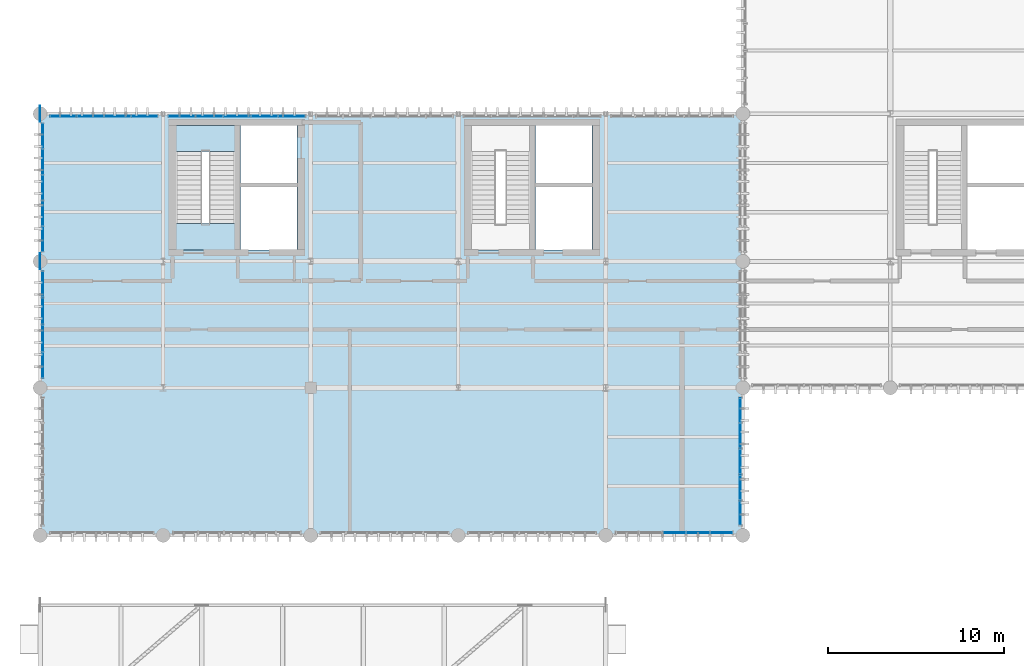
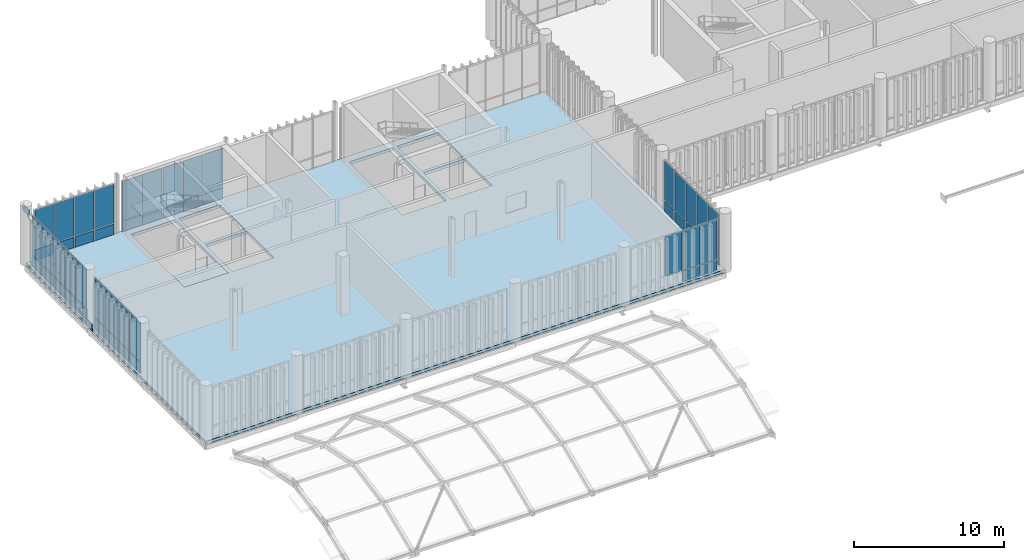
# One storey, part 67 of 94: 53 plates, 3 slabs, 7 elements without a shape of their own.
"""IFC4 building model written with IfcOpenShell, lengths in metres."""

import ifcopenshell
import ifcopenshell.guid

model = None  # the IFC model being written
_history = None  # IfcOwnerHistory: only IFC2X3 demands one
_inside = {}  # id of a spatial element -> (the spatial element, [elements in it])
_under = {}  # id of a project, library or spatial element -> (it, [spatial elements below it])
_declared = {}  # id of a project -> (the project, [libraries it declares])
_typed = {}  # id of a type object -> (the type object, [elements of that type])
_made_of = {}  # id of a material, layer set ... -> (it, [elements and type objects made of it])


def new_model(schema):
    """Start an empty IFC model of exactly this schema.

    Asked for "IFC4X3", IfcOpenShell would pick the latest addendum, in which some entities
    have other attributes; the version numbers below select the first issue.
    IFC2X3 requires an IfcOwnerHistory on every rooted entity: one is made here for all.
    """
    global model, _history
    if schema == "IFC4X3":
        model = ifcopenshell.file(schema_version=(4, 3, 0, 0))
    else:
        model = ifcopenshell.file(schema=schema)
    _inside.clear()
    _under.clear()
    _declared.clear()
    _typed.clear()
    _made_of.clear()
    _history = None
    if model.schema == "IFC2X3":
        org = make("IfcOrganization", Name="unknown")
        user = make(
            "IfcPersonAndOrganization",
            ThePerson=make("IfcPerson", FamilyName="unknown"),
            TheOrganization=org,
        )
        app = make(
            "IfcApplication",
            ApplicationDeveloper=org,
            Version="unknown",
            ApplicationFullName="unknown",
            ApplicationIdentifier="unknown",
        )
        _history = make(
            "IfcOwnerHistory",
            OwningUser=user,
            OwningApplication=app,
            ChangeAction="ADDED",
            CreationDate=0,
        )
    return model


def make(cls, **values):
    """One entity of the class cls with the attributes given. An attribute that is None is left unset."""
    return model.create_entity(
        cls, **{name: value for name, value in values.items() if value is not None}
    )


def rooted(cls, **values):
    """An entity with a GlobalId (a new one), such as an element, a storey or a relation."""
    return make(cls, GlobalId=ifcopenshell.guid.new(), OwnerHistory=_history, **values)


def si_unit(unit_type, name, prefix=None):
    """IfcSIUnit, for example si_unit("LENGTHUNIT", "METRE", prefix="MILLI")."""
    return make("IfcSIUnit", UnitType=unit_type, Prefix=prefix, Name=name)


def assignment(units):
    """IfcUnitAssignment: the units of a project."""
    return None if units is None else make("IfcUnitAssignment", Units=units)


def point(xyz):
    """IfcCartesianPoint."""
    return None if xyz is None else make("IfcCartesianPoint", Coordinates=xyz)


def direction(xyz):
    """IfcDirection."""
    return None if xyz is None else make("IfcDirection", DirectionRatios=xyz)


def frame(location, z_axis=None, x_axis=None):
    """IfcAxis2Placement3D, a coordinate frame: its origin and axes. An axis left out is left unset."""
    return make(
        "IfcAxis2Placement3D",
        Location=point(location),
        Axis=direction(z_axis),
        RefDirection=direction(x_axis),
    )


def frame_2d(location, x_axis=None):
    """IfcAxis2Placement2D, a coordinate frame in the plane: its origin and x axis."""
    return make(
        "IfcAxis2Placement2D", Location=point(location), RefDirection=direction(x_axis)
    )


def origin_with_axes():
    """The frame at (0, 0, 0) with the z axis (0, 0, 1) and the x axis (1, 0, 0) written out."""
    return frame((0.0, 0.0, 0.0), z_axis=(0.0, 0.0, 1.0), x_axis=(1.0, 0.0, 0.0))


def origin_2d_with_axis():
    """The frame at (0, 0) in the plane with the x axis (1, 0) written out."""
    return frame_2d((0.0, 0.0), x_axis=(1.0, 0.0))


def place(relative_to, where):
    """IfcLocalPlacement: puts the frame where relative to a parent placement (None: the world)."""
    return make(
        "IfcLocalPlacement", PlacementRelTo=relative_to, RelativePlacement=where
    )


def context(
    kind, dimensions, precision=None, world=None, true_north=None, identifier=None
):
    """IfcGeometricRepresentationContext, for example the 3D "Model" context."""
    return make(
        "IfcGeometricRepresentationContext",
        ContextIdentifier=identifier,
        ContextType=kind,
        CoordinateSpaceDimension=dimensions,
        Precision=precision,
        WorldCoordinateSystem=world,
        TrueNorth=true_north,
    )


def subcontext(parent, identifier, kind, view, scale=None):
    """IfcGeometricRepresentationSubContext, for example "Body" below "Model"."""
    return make(
        "IfcGeometricRepresentationSubContext",
        ContextIdentifier=identifier,
        ContextType=kind,
        ParentContext=parent,
        TargetScale=scale,
        TargetView=view,
    )


def project(units=None, contexts=None):
    """IfcProject with its units and contexts."""
    return rooted(
        "IfcProject",
        Name="project",
        RepresentationContexts=contexts,
        UnitsInContext=assignment(units),
    )


def spatial(cls, under=None, at=None, **own):
    """A site, building, storey or space (cls), placed at a placement, below another one or the project."""
    s = rooted(cls, ObjectPlacement=at, **own)
    if under is not None:
        _under.setdefault(under.id(), (under, []))[1].append(s)
    return s


def polyline(points):
    """IfcPolyline through the points."""
    return make("IfcPolyline", Points=[point(p) for p in points])


def profile(cls, at=None, kind="AREA", **sizes):
    """A parametric profile (cls). Its sizes go by their IFC names, for example OverallWidth=200.0."""
    return make(cls, ProfileType=kind, Position=at, **sizes)


def rectangle(**sizes):
    """IfcRectangleProfileDef."""
    return profile("IfcRectangleProfileDef", **sizes)


def outline(outer, holes=None, kind="AREA"):
    """IfcArbitraryClosedProfileDef: a profile drawn as a closed curve; with holes, ...WithVoids."""
    if holes is None:
        return make("IfcArbitraryClosedProfileDef", ProfileType=kind, OuterCurve=outer)
    return make(
        "IfcArbitraryProfileDefWithVoids",
        ProfileType=kind,
        OuterCurve=outer,
        InnerCurves=holes,
    )


def extrude(swept, where, along, depth):
    """IfcExtrudedAreaSolid: the profile swept, set in the frame where, extruded along a direction by depth."""
    return make(
        "IfcExtrudedAreaSolid",
        SweptArea=swept,
        Position=where,
        ExtrudedDirection=direction(along),
        Depth=depth,
    )


def shape(context_of_items, identifier, shape_type, items):
    """IfcShapeRepresentation: the items that make up one representation, for example the "Body"."""
    return make(
        "IfcShapeRepresentation",
        ContextOfItems=context_of_items,
        RepresentationIdentifier=identifier,
        RepresentationType=shape_type,
        Items=items,
    )


def material(Name=None, Category=None):
    """IfcMaterial."""
    return make("IfcMaterial", Name=Name, Category=Category)


def layer(
    of_material, thickness, ventilated=None, Name=None, Category=None, Priority=None
):
    """IfcMaterialLayer: one layer of a wall or slab, of a material (None: an air gap)."""
    return make(
        "IfcMaterialLayer",
        Material=of_material,
        LayerThickness=thickness,
        IsVentilated=ventilated,
        Name=Name,
        Category=Category,
        Priority=Priority,
    )


def layer_set(layers, Name=None):
    """IfcMaterialLayerSet."""
    return make("IfcMaterialLayerSet", MaterialLayers=layers, LayerSetName=Name)


def made_of(thing, what):
    """Note that an element or type object is made of a material, layer set ...; save() writes the relation."""
    if what is not None:
        _made_of.setdefault(what.id(), (what, []))[1].append(thing)
    return thing


def type_object(cls, material=None, **own):
    """A type object (cls), such as IfcWallType, which elements share."""
    return made_of(rooted(cls, **own), material)


def element(
    cls,
    number,
    at=None,
    inside=None,
    cuts=None,
    type_object=None,
    material=None,
    context=None,
    identifier="Body",
    shape_type=None,
    held_by="IfcProductDefinitionShape",
    body=None,
    shapes=None,
    **own,
):
    """One element of the class cls, such as IfcWall. Its Tag is "e" and its number.

    at: its placement. inside: the storey or other place that contains it. cuts: it is an
    opening in that element (IfcRelVoidsElement). A single representation is given by context,
    identifier, shape_type and body (its items); several are given by shapes. held_by: the class
    of the entity that holds the representations. save() writes the other relations.
    """
    e = rooted(cls, Tag="e%d" % number, ObjectPlacement=at, **own)
    if body is not None:
        shapes = [shape(context, identifier, shape_type, body)]
    if shapes is not None:
        e.Representation = make(held_by, Representations=shapes)
    if inside is not None:
        _inside.setdefault(inside.id(), (inside, []))[1].append(e)
    if cuts is not None:
        rooted(
            "IfcRelVoidsElement", RelatingBuildingElement=cuts, RelatedOpeningElement=e
        )
    if type_object is not None:
        _typed.setdefault(type_object.id(), (type_object, []))[1].append(e)
    return made_of(e, material)


def aggregate(whole, parts):
    """IfcRelAggregates: a whole, such as a stair, and the parts it consists of."""
    return rooted("IfcRelAggregates", RelatingObject=whole, RelatedObjects=parts)


def save(model, path):
    """Write the relations noted so far, then the file.

    IfcRelAggregates (storeys below a building ...), IfcRelContainedInSpatialStructure (elements
    in a storey), IfcRelDefinesByType, IfcRelAssociatesMaterial and IfcRelDeclares: one each for
    every whole, place, type object, material and project.
    """
    for whole, parts in _under.values():
        aggregate(whole, parts)
    for where, things in _inside.values():
        rooted(
            "IfcRelContainedInSpatialStructure",
            RelatedElements=things,
            RelatingStructure=where,
        )
    for kind, things in _typed.values():
        rooted("IfcRelDefinesByType", RelatedObjects=things, RelatingType=kind)
    for what, things in _made_of.values():
        rooted("IfcRelAssociatesMaterial", RelatedObjects=things, RelatingMaterial=what)
    for by, libraries in _declared.values():
        rooted("IfcRelDeclares", RelatingContext=by, RelatedDefinitions=libraries)
    model.write(path)


model = new_model("IFC4")

# Units and contexts
model_context = context("Model", 3, precision=1e-05, world=origin_with_axes(), true_north=direction((0.0, 1.0)))
body_context = subcontext(model_context, "Body", "Model", "MODEL_VIEW")
ifc_project = project(units=[si_unit("LENGTHUNIT", "METRE"), si_unit("AREAUNIT", "SQUARE_METRE"), si_unit("VOLUMEUNIT", "CUBIC_METRE"), si_unit("PLANEANGLEUNIT", "RADIAN"), si_unit("MASSUNIT", "GRAM", prefix="KILO"), si_unit("THERMODYNAMICTEMPERATUREUNIT", "KELVIN")], contexts=[model_context])

# Site, building, storey
site_placement = place(None, origin_with_axes())
site = spatial("IfcSite", under=ifc_project, at=site_placement, CompositionType="ELEMENT")
building_placement = place(site_placement, origin_with_axes())
building = spatial("IfcBuilding", under=site, at=building_placement, Name="Montbau Bow Law Courts", CompositionType="ELEMENT")
storey_placement = place(building_placement, frame((0.0, 0.0, 15.6), z_axis=(0.0, 0.0, 1.0), x_axis=(1.0, 0.0, 0.0)))
storey = spatial("IfcBuildingStorey", under=building, at=storey_placement, Name="L03", CompositionType="ELEMENT", Elevation=15.6)

# Curtain wall, plates
ifc_material_1 = material(Name="Thermally Broken Extruded Aluminium AA 6063-T6", Category="aluminium")
curtain_wall_type = type_object("IfcCurtainWallType", Name="CW-TRC-01", PredefinedType="NOTDEFINED", material=ifc_material_1)
curtain_wall_1_placement = place(None, frame((39.515, 30.74, 15.6), z_axis=(0.0, 0.0, 1.0), x_axis=(1.0, 0.0, 0.0)))
curtain_wall_1 = element("IfcCurtainWall", 1, at=curtain_wall_1_placement, inside=storey, type_object=curtain_wall_type, Name="CW-L03-054:cw_0054", PredefinedType="NOTDEFINED")
ifc_material_2 = material(Name="Triple-Glazed Low-E Argon Insulating Glass Unit", Category="glass")
ifc_layer_1 = layer(ifc_material_2, 0.044, Name="Curtain Panel", Category="glass")
ifc_layer_set_1 = layer_set([ifc_layer_1], Name="Triple-Glazed Low-E Argon Insulating Glass Unit")
plate_type_1 = type_object("IfcPlateType", Name="PL-CWP-01", PredefinedType="CURTAIN_PANEL", material=ifc_layer_set_1)
plate_1_placement = place(None, frame((42.263, 30.74, 16.582), z_axis=(0.0, -1.0, 0.0), x_axis=(1.0, 0.0, 0.0)))
plate_1 = element("IfcPlate", 2, at=plate_1_placement, type_object=plate_type_1, Name="CW-L03-054-P03-2:cw_0054_P03_2", PredefinedType="CURTAIN_PANEL", context=body_context, shape_type="SweptSolid", body=[
    extrude(rectangle(XDim=1.275, YDim=3.176, at=frame_2d((0.6375, 1.588), x_axis=(1.0, 0.0))), frame((0.0, 0.0, -0.022), z_axis=(0.0, 0.0, 1.0), x_axis=(1.0, 0.0, 0.0)), (0.0, 0.0, 1.0), 0.044),
])
plate_2_placement = place(None, frame((43.616, 30.74, 16.582), z_axis=(0.0, -1.0, 0.0), x_axis=(1.0, 0.0, 0.0)))
plate_2 = element("IfcPlate", 3, at=plate_2_placement, type_object=plate_type_1, Name="CW-L03-054-P04-2:cw_0054_P04_2", PredefinedType="CURTAIN_PANEL", context=body_context, shape_type="SweptSolid", body=[
    extrude(rectangle(XDim=1.276, YDim=3.176, at=frame_2d((0.638, 1.588), x_axis=(1.0, 0.0))), frame((0.0, 0.0, -0.022), z_axis=(0.0, 0.0, 1.0), x_axis=(1.0, 0.0, 0.0)), (0.0, 0.0, 1.0), 0.044),
])
plate_3_placement = place(None, frame((44.97, 30.74, 16.582), z_axis=(0.0, -1.0, 0.0), x_axis=(1.0, 0.0, 0.0)))
plate_3 = element("IfcPlate", 4, at=plate_3_placement, type_object=plate_type_1, Name="CW-L03-054-P05-2:cw_0054_P05_2", PredefinedType="CURTAIN_PANEL", context=body_context, shape_type="SweptSolid", body=[
    extrude(rectangle(XDim=1.238, YDim=3.176, at=frame_2d((0.619, 1.588), x_axis=(1.0, 0.0))), frame((0.0, 0.0, -0.022), z_axis=(0.0, 0.0, 1.0), x_axis=(1.0, 0.0, 0.0)), (0.0, 0.0, 1.0), 0.044),
])

curtain_wall_2_placement = place(None, frame((7.315, 54.46, 15.6), z_axis=(0.0, 0.0, 1.0), x_axis=(1.0, 0.0, 0.0)))
curtain_wall_2 = element("IfcCurtainWall", 5, at=curtain_wall_2_placement, inside=storey, type_object=curtain_wall_type, Name="CW-L03-055:cw_0055", PredefinedType="NOTDEFINED")
plate_4_placement = place(None, frame((7.383, 54.46, 16.579), z_axis=(0.0, -1.0, 0.0), x_axis=(1.0, 0.0, 0.0)))
plate_4 = element("IfcPlate", 6, at=plate_4_placement, type_object=plate_type_1, Name="CW-L03-055-P01-2:cw_0055_P01_2", PredefinedType="CURTAIN_PANEL", context=body_context, shape_type="SweptSolid", body=[
    extrude(rectangle(XDim=1.452, YDim=3.185, at=frame_2d((0.726, 1.5925), x_axis=(1.0, 0.0))), frame((0.0, 0.0, -0.022), z_axis=(0.0, 0.0, 1.0), x_axis=(1.0, 0.0, 0.0)), (0.0, 0.0, 1.0), 0.044),
])
plate_5_placement = place(None, frame((8.904, 54.46, 16.579), z_axis=(0.0, -1.0, 0.0), x_axis=(1.0, 0.0, 0.0)))
plate_5 = element("IfcPlate", 7, at=plate_5_placement, type_object=plate_type_1, Name="CW-L03-055-P02-2:cw_0055_P02_2", PredefinedType="CURTAIN_PANEL", context=body_context, shape_type="SweptSolid", body=[
    extrude(rectangle(XDim=1.486, YDim=3.185, at=frame_2d((0.743, 1.5925), x_axis=(1.0, 0.0))), frame((0.0, 0.0, -0.022), z_axis=(0.0, 0.0, 1.0), x_axis=(1.0, 0.0, 0.0)), (0.0, 0.0, 1.0), 0.044),
])
plate_6_placement = place(None, frame((10.458, 54.46, 16.579), z_axis=(0.0, -1.0, 0.0), x_axis=(1.0, 0.0, 0.0)))
plate_6 = element("IfcPlate", 8, at=plate_6_placement, type_object=plate_type_1, Name="CW-L03-055-P03-2:cw_0055_P03_2", PredefinedType="CURTAIN_PANEL", context=body_context, shape_type="SweptSolid", body=[
    extrude(rectangle(XDim=1.486, YDim=3.185, at=frame_2d((0.743, 1.5925), x_axis=(1.0, 0.0))), frame((0.0, 0.0, -0.022), z_axis=(0.0, 0.0, 1.0), x_axis=(1.0, 0.0, 0.0)), (0.0, 0.0, 1.0), 0.044),
])
plate_7_placement = place(None, frame((12.012, 54.46, 16.579), z_axis=(0.0, -1.0, 0.0), x_axis=(1.0, 0.0, 0.0)))
plate_7 = element("IfcPlate", 9, at=plate_7_placement, type_object=plate_type_1, Name="CW-L03-055-P04-2:cw_0055_P04_2", PredefinedType="CURTAIN_PANEL", context=body_context, shape_type="SweptSolid", body=[
    extrude(rectangle(XDim=1.454, YDim=3.185, at=frame_2d((0.727, 1.5925), x_axis=(1.0, 0.0))), frame((0.0, 0.0, -0.022), z_axis=(0.0, 0.0, 1.0), x_axis=(1.0, 0.0, 0.0)), (0.0, 0.0, 1.0), 0.044),
])

curtain_wall_3_placement = place(None, frame((14.068, 54.46, 15.6), z_axis=(0.0, 0.0, 1.0), x_axis=(1.0, 0.0, 0.0)))
curtain_wall_3 = element("IfcCurtainWall", 10, at=curtain_wall_3_placement, inside=storey, type_object=curtain_wall_type, Name="CW-L03-056:cw_0056", PredefinedType="NOTDEFINED")
plate_8_placement = place(None, frame((14.13, 54.46, 16.582), z_axis=(0.0, -1.0, 0.0), x_axis=(1.0, 0.0, 0.0)))
plate_8 = element("IfcPlate", 11, at=plate_8_placement, type_object=plate_type_1, Name="CW-L03-056-P01-2:cw_0056_P01_2", PredefinedType="CURTAIN_PANEL", context=body_context, shape_type="SweptSolid", body=[
    extrude(rectangle(XDim=1.479, YDim=3.176, at=frame_2d((0.7395, 1.588), x_axis=(1.0, 0.0))), frame((0.0, 0.0, -0.022), z_axis=(0.0, 0.0, 1.0), x_axis=(1.0, 0.0, 0.0)), (0.0, 0.0, 1.0), 0.044),
])
plate_9_placement = place(None, frame((15.673, 54.46, 16.582), z_axis=(0.0, -1.0, 0.0), x_axis=(1.0, 0.0, 0.0)))
plate_9 = element("IfcPlate", 12, at=plate_9_placement, type_object=plate_type_1, Name="CW-L03-056-P02-2:cw_0056_P02_2", PredefinedType="CURTAIN_PANEL", context=body_context, shape_type="SweptSolid", body=[
    extrude(rectangle(XDim=1.509, YDim=3.176, at=frame_2d((0.7545, 1.588), x_axis=(1.0, 0.0))), frame((0.0, 0.0, -0.022), z_axis=(0.0, 0.0, 1.0), x_axis=(1.0, 0.0, 0.0)), (0.0, 0.0, 1.0), 0.044),
])
plate_10_placement = place(None, frame((17.246, 54.46, 16.582), z_axis=(0.0, -1.0, 0.0), x_axis=(1.0, 0.0, 0.0)))
plate_10 = element("IfcPlate", 13, at=plate_10_placement, type_object=plate_type_1, Name="CW-L03-056-P03-2:cw_0056_P03_2", PredefinedType="CURTAIN_PANEL", context=body_context, shape_type="SweptSolid", body=[
    extrude(rectangle(XDim=1.509, YDim=3.176, at=frame_2d((0.7545, 1.588), x_axis=(1.0, 0.0))), frame((0.0, 0.0, -0.022), z_axis=(0.0, 0.0, 1.0), x_axis=(1.0, 0.0, 0.0)), (0.0, 0.0, 1.0), 0.044),
])
plate_11_placement = place(None, frame((18.819, 54.46, 16.582), z_axis=(0.0, -1.0, 0.0), x_axis=(1.0, 0.0, 0.0)))
plate_11 = element("IfcPlate", 14, at=plate_11_placement, type_object=plate_type_1, Name="CW-L03-056-P04-2:cw_0056_P04_2", PredefinedType="CURTAIN_PANEL", context=body_context, shape_type="SweptSolid", body=[
    extrude(rectangle(XDim=1.509, YDim=3.176, at=frame_2d((0.7545, 1.588), x_axis=(1.0, 0.0))), frame((0.0, 0.0, -0.022), z_axis=(0.0, 0.0, 1.0), x_axis=(1.0, 0.0, 0.0)), (0.0, 0.0, 1.0), 0.044),
])
plate_12_placement = place(None, frame((20.392, 54.46, 16.582), z_axis=(0.0, -1.0, 0.0), x_axis=(1.0, 0.0, 0.0)))
plate_12 = element("IfcPlate", 15, at=plate_12_placement, type_object=plate_type_1, Name="CW-L03-056-P05-2:cw_0056_P05_2", PredefinedType="CURTAIN_PANEL", context=body_context, shape_type="SweptSolid", body=[
    extrude(rectangle(XDim=1.479, YDim=3.176, at=frame_2d((0.7395, 1.588), x_axis=(1.0, 0.0))), frame((0.0, 0.0, -0.022), z_axis=(0.0, 0.0, 1.0), x_axis=(1.0, 0.0, 0.0)), (0.0, 0.0, 1.0), 0.044),
])

curtain_wall_4_placement = place(None, frame((6.94, 39.515, 15.6), z_axis=(0.0, 0.0, 1.0), x_axis=(1.0, 0.0, 0.0)))
curtain_wall_4 = element("IfcCurtainWall", 16, at=curtain_wall_4_placement, inside=storey, type_object=curtain_wall_type, Name="CW-L03-061:cw_0061", PredefinedType="NOTDEFINED")
plate_13_placement = place(None, frame((6.94, 39.583, 16.579), z_axis=(1.0, 0.0, 0.0), x_axis=(0.0, 1.0, 0.0)))
plate_13 = element("IfcPlate", 17, at=plate_13_placement, type_object=plate_type_1, Name="CW-L03-061-P01-2:cw_0061_P01_2", PredefinedType="CURTAIN_PANEL", context=body_context, shape_type="SweptSolid", body=[
    extrude(rectangle(XDim=1.44, YDim=3.185, at=frame_2d((0.72, 1.5925), x_axis=(1.0, 0.0))), frame((0.0, 0.0, -0.022), z_axis=(0.0, 0.0, 1.0), x_axis=(1.0, 0.0, 0.0)), (0.0, 0.0, 1.0), 0.044),
])
plate_14_placement = place(None, frame((6.94, 41.092, 16.579), z_axis=(1.0, 0.0, 0.0), x_axis=(0.0, 1.0, 0.0)))
plate_14 = element("IfcPlate", 18, at=plate_14_placement, type_object=plate_type_1, Name="CW-L03-061-P02-2:cw_0061_P02_2", PredefinedType="CURTAIN_PANEL", context=body_context, shape_type="SweptSolid", body=[
    extrude(rectangle(XDim=1.473, YDim=3.185, at=frame_2d((0.7365, 1.5925), x_axis=(1.0, 0.0))), frame((0.0, 0.0, -0.022), z_axis=(0.0, 0.0, 1.0), x_axis=(1.0, 0.0, 0.0)), (0.0, 0.0, 1.0), 0.044),
])
plate_15_placement = place(None, frame((6.94, 42.634, 16.579), z_axis=(1.0, 0.0, 0.0), x_axis=(0.0, 1.0, 0.0)))
plate_15 = element("IfcPlate", 19, at=plate_15_placement, type_object=plate_type_1, Name="CW-L03-061-P03-2:cw_0061_P03_2", PredefinedType="CURTAIN_PANEL", context=body_context, shape_type="SweptSolid", body=[
    extrude(rectangle(XDim=1.475, YDim=3.185, at=frame_2d((0.7375, 1.5925), x_axis=(1.0, 0.0))), frame((0.0, 0.0, -0.022), z_axis=(0.0, 0.0, 1.0), x_axis=(1.0, 0.0, 0.0)), (0.0, 0.0, 1.0), 0.044),
])
plate_16_placement = place(None, frame((6.94, 44.177, 16.579), z_axis=(1.0, 0.0, 0.0), x_axis=(0.0, 1.0, 0.0)))
plate_16 = element("IfcPlate", 20, at=plate_16_placement, type_object=plate_type_1, Name="CW-L03-061-P04-2:cw_0061_P04_2", PredefinedType="CURTAIN_PANEL", context=body_context, shape_type="SweptSolid", body=[
    extrude(rectangle(XDim=1.442, YDim=3.185, at=frame_2d((0.721, 1.5925), x_axis=(1.0, 0.0))), frame((0.0, 0.0, -0.022), z_axis=(0.0, 0.0, 1.0), x_axis=(1.0, 0.0, 0.0)), (0.0, 0.0, 1.0), 0.044),
])

curtain_wall_5_placement = place(None, frame((6.94, 46.715, 15.6), z_axis=(0.0, 0.0, 1.0), x_axis=(1.0, 0.0, 0.0)))
curtain_wall_5 = element("IfcCurtainWall", 21, at=curtain_wall_5_placement, inside=storey, type_object=curtain_wall_type, Name="CW-L03-062:cw_0062", PredefinedType="NOTDEFINED")
plate_17_placement = place(None, frame((6.94, 46.777, 16.582), z_axis=(1.0, 0.0, 0.0), x_axis=(0.0, 1.0, 0.0)))
plate_17 = element("IfcPlate", 22, at=plate_17_placement, type_object=plate_type_1, Name="CW-L03-062-P01-2:cw_0062_P01_2", PredefinedType="CURTAIN_PANEL", context=body_context, shape_type="SweptSolid", body=[
    extrude(rectangle(XDim=1.38, YDim=3.176, at=frame_2d((0.69, 1.588), x_axis=(1.0, 0.0))), frame((0.0, 0.0, -0.022), z_axis=(0.0, 0.0, 1.0), x_axis=(1.0, 0.0, 0.0)), (0.0, 0.0, 1.0), 0.044),
])
plate_18_placement = place(None, frame((6.94, 48.221, 16.582), z_axis=(1.0, 0.0, 0.0), x_axis=(0.0, 1.0, 0.0)))
plate_18 = element("IfcPlate", 23, at=plate_18_placement, type_object=plate_type_1, Name="CW-L03-062-P02-2:cw_0062_P02_2", PredefinedType="CURTAIN_PANEL", context=body_context, shape_type="SweptSolid", body=[
    extrude(rectangle(XDim=1.41, YDim=3.176, at=frame_2d((0.705, 1.588), x_axis=(1.0, 0.0))), frame((0.0, 0.0, -0.022), z_axis=(0.0, 0.0, 1.0), x_axis=(1.0, 0.0, 0.0)), (0.0, 0.0, 1.0), 0.044),
])
plate_19_placement = place(None, frame((6.94, 49.695, 16.582), z_axis=(1.0, 0.0, 0.0), x_axis=(0.0, 1.0, 0.0)))
plate_19 = element("IfcPlate", 24, at=plate_19_placement, type_object=plate_type_1, Name="CW-L03-062-P03-2:cw_0062_P03_2", PredefinedType="CURTAIN_PANEL", context=body_context, shape_type="SweptSolid", body=[
    extrude(rectangle(XDim=1.41, YDim=3.176, at=frame_2d((0.705, 1.588), x_axis=(1.0, 0.0))), frame((0.0, 0.0, -0.022), z_axis=(0.0, 0.0, 1.0), x_axis=(1.0, 0.0, 0.0)), (0.0, 0.0, 1.0), 0.044),
])
plate_20_placement = place(None, frame((6.94, 51.169, 16.582), z_axis=(1.0, 0.0, 0.0), x_axis=(0.0, 1.0, 0.0)))
plate_20 = element("IfcPlate", 25, at=plate_20_placement, type_object=plate_type_1, Name="CW-L03-062-P04-2:cw_0062_P04_2", PredefinedType="CURTAIN_PANEL", context=body_context, shape_type="SweptSolid", body=[
    extrude(rectangle(XDim=1.41, YDim=3.176, at=frame_2d((0.705, 1.588), x_axis=(1.0, 0.0))), frame((0.0, 0.0, -0.022), z_axis=(0.0, 0.0, 1.0), x_axis=(1.0, 0.0, 0.0)), (0.0, 0.0, 1.0), 0.044),
])
plate_21_placement = place(None, frame((6.94, 52.643, 16.582), z_axis=(1.0, 0.0, 0.0), x_axis=(0.0, 1.0, 0.0)))
plate_21 = element("IfcPlate", 26, at=plate_21_placement, type_object=plate_type_1, Name="CW-L03-062-P05-2:cw_0062_P05_2", PredefinedType="CURTAIN_PANEL", context=body_context, shape_type="SweptSolid", body=[
    extrude(rectangle(XDim=1.38, YDim=3.176, at=frame_2d((0.69, 1.588), x_axis=(1.0, 0.0))), frame((0.0, 0.0, -0.022), z_axis=(0.0, 0.0, 1.0), x_axis=(1.0, 0.0, 0.0)), (0.0, 0.0, 1.0), 0.044),
])

curtain_wall_6_placement = place(None, frame((46.66, 31.115, 15.6), z_axis=(0.0, 0.0, 1.0), x_axis=(1.0, 0.0, 0.0)))
curtain_wall_6 = element("IfcCurtainWall", 27, at=curtain_wall_6_placement, inside=storey, type_object=curtain_wall_type, Name="CW-L03-063:cw_0063", PredefinedType="NOTDEFINED")
plate_22_placement = place(None, frame((46.66, 31.191, 16.579), z_axis=(1.0, 0.0, 0.0), x_axis=(0.0, 1.0, 0.0)))
plate_22 = element("IfcPlate", 28, at=plate_22_placement, type_object=plate_type_1, Name="CW-L03-063-P01-2:cw_0063_P01_2", PredefinedType="CURTAIN_PANEL", context=body_context, shape_type="SweptSolid", body=[
    extrude(rectangle(XDim=1.358, YDim=3.185, at=frame_2d((0.679, 1.5925), x_axis=(1.0, 0.0))), frame((0.0, 0.0, -0.022), z_axis=(0.0, 0.0, 1.0), x_axis=(1.0, 0.0, 0.0)), (0.0, 0.0, 1.0), 0.044),
])
plate_23_placement = place(None, frame((46.66, 32.629, 16.579), z_axis=(1.0, 0.0, 0.0), x_axis=(0.0, 1.0, 0.0)))
plate_23 = element("IfcPlate", 29, at=plate_23_placement, type_object=plate_type_1, Name="CW-L03-063-P02-2:cw_0063_P02_2", PredefinedType="CURTAIN_PANEL", context=body_context, shape_type="SweptSolid", body=[
    extrude(rectangle(XDim=1.395, YDim=3.185, at=frame_2d((0.6975, 1.5925), x_axis=(1.0, 0.0))), frame((0.0, 0.0, -0.022), z_axis=(0.0, 0.0, 1.0), x_axis=(1.0, 0.0, 0.0)), (0.0, 0.0, 1.0), 0.044),
])
plate_24_placement = place(None, frame((46.66, 34.102, 16.579), z_axis=(1.0, 0.0, 0.0), x_axis=(0.0, 1.0, 0.0)))
plate_24 = element("IfcPlate", 30, at=plate_24_placement, type_object=plate_type_1, Name="CW-L03-063-P03-2:cw_0063_P03_2", PredefinedType="CURTAIN_PANEL", context=body_context, shape_type="SweptSolid", body=[
    extrude(rectangle(XDim=1.396, YDim=3.185, at=frame_2d((0.698, 1.5925), x_axis=(1.0, 0.0))), frame((0.0, 0.0, -0.022), z_axis=(0.0, 0.0, 1.0), x_axis=(1.0, 0.0, 0.0)), (0.0, 0.0, 1.0), 0.044),
])
plate_25_placement = place(None, frame((46.66, 35.576, 16.579), z_axis=(1.0, 0.0, 0.0), x_axis=(0.0, 1.0, 0.0)))
plate_25 = element("IfcPlate", 31, at=plate_25_placement, type_object=plate_type_1, Name="CW-L03-063-P04-2:cw_0063_P04_2", PredefinedType="CURTAIN_PANEL", context=body_context, shape_type="SweptSolid", body=[
    extrude(rectangle(XDim=1.396, YDim=3.185, at=frame_2d((0.698, 1.5925), x_axis=(1.0, 0.0))), frame((0.0, 0.0, -0.022), z_axis=(0.0, 0.0, 1.0), x_axis=(1.0, 0.0, 0.0)), (0.0, 0.0, 1.0), 0.044),
])
plate_26_placement = place(None, frame((46.66, 37.05, 16.579), z_axis=(1.0, 0.0, 0.0), x_axis=(0.0, 1.0, 0.0)))
plate_26 = element("IfcPlate", 32, at=plate_26_placement, type_object=plate_type_1, Name="CW-L03-063-P05-2:cw_0063_P05_2", PredefinedType="CURTAIN_PANEL", context=body_context, shape_type="SweptSolid", body=[
    extrude(rectangle(XDim=1.359, YDim=3.185, at=frame_2d((0.6795, 1.5925), x_axis=(1.0, 0.0))), frame((0.0, 0.0, -0.022), z_axis=(0.0, 0.0, 1.0), x_axis=(1.0, 0.0, 0.0)), (0.0, 0.0, 1.0), 0.044),
])

# Plate
ifc_material_3 = material(Name="Insulated Ceramic-Frit Spandrel Glazing Unit", Category="glass")
ifc_layer_2 = layer(ifc_material_3, 0.056, Name="Curtain Panel", Category="glass")
ifc_layer_set_2 = layer_set([ifc_layer_2], Name="Insulated Ceramic-Frit Spandrel Glazing Unit")
plate_type_2 = type_object("IfcPlateType", Name="PL-CWP-02", PredefinedType="CURTAIN_PANEL", material=ifc_layer_set_2)
plate_27_placement = place(None, frame((43.616, 30.74, 15.662), z_axis=(0.0, -1.0, 0.0), x_axis=(1.0, 0.0, 0.0)))
plate_27 = element("IfcPlate", 33, at=plate_27_placement, type_object=plate_type_2, Name="CW-L03-054-P04-1:cw_0054_P04_1", PredefinedType="CURTAIN_PANEL", context=body_context, shape_type="SweptSolid", body=[
    extrude(rectangle(XDim=1.276, YDim=0.856, at=frame_2d((0.638, 0.428), x_axis=(1.0, 0.0))), frame((0.0, 0.0, -0.028), z_axis=(0.0, 0.0, 1.0), x_axis=(1.0, 0.0, 0.0)), (0.0, 0.0, 1.0), 0.056),
])

plate_28_placement = place(None, frame((44.97, 30.74, 15.662), z_axis=(0.0, -1.0, 0.0), x_axis=(1.0, 0.0, 0.0)))
plate_28 = element("IfcPlate", 34, at=plate_28_placement, type_object=plate_type_2, Name="CW-L03-054-P05-1:cw_0054_P05_1", PredefinedType="CURTAIN_PANEL", context=body_context, shape_type="SweptSolid", body=[
    extrude(rectangle(XDim=1.238, YDim=0.856, at=frame_2d((0.619, 0.428), x_axis=(1.0, 0.0))), frame((0.0, 0.0, -0.028), z_axis=(0.0, 0.0, 1.0), x_axis=(1.0, 0.0, 0.0)), (0.0, 0.0, 1.0), 0.056),
])

aggregate(curtain_wall_1, [plate_1, plate_27, plate_2, plate_28, plate_3])

plate_29_placement = place(None, frame((7.383, 54.46, 15.657), z_axis=(0.0, -1.0, 0.0), x_axis=(1.0, 0.0, 0.0)))
plate_29 = element("IfcPlate", 35, at=plate_29_placement, type_object=plate_type_2, Name="CW-L03-055-P01-1:cw_0055_P01_1", PredefinedType="CURTAIN_PANEL", context=body_context, shape_type="SweptSolid", body=[
    extrude(rectangle(XDim=1.452, YDim=0.864, at=frame_2d((0.726, 0.432), x_axis=(1.0, 0.0))), frame((0.0, 0.0, -0.028), z_axis=(0.0, 0.0, 1.0), x_axis=(1.0, 0.0, 0.0)), (0.0, 0.0, 1.0), 0.056),
])

plate_30_placement = place(None, frame((8.904, 54.46, 15.657), z_axis=(0.0, -1.0, 0.0), x_axis=(1.0, 0.0, 0.0)))
plate_30 = element("IfcPlate", 36, at=plate_30_placement, type_object=plate_type_2, Name="CW-L03-055-P02-1:cw_0055_P02_1", PredefinedType="CURTAIN_PANEL", context=body_context, shape_type="SweptSolid", body=[
    extrude(rectangle(XDim=1.486, YDim=0.864, at=frame_2d((0.743, 0.432), x_axis=(1.0, 0.0))), frame((0.0, 0.0, -0.028), z_axis=(0.0, 0.0, 1.0), x_axis=(1.0, 0.0, 0.0)), (0.0, 0.0, 1.0), 0.056),
])

plate_31_placement = place(None, frame((10.458, 54.46, 15.657), z_axis=(0.0, -1.0, 0.0), x_axis=(1.0, 0.0, 0.0)))
plate_31 = element("IfcPlate", 37, at=plate_31_placement, type_object=plate_type_2, Name="CW-L03-055-P03-1:cw_0055_P03_1", PredefinedType="CURTAIN_PANEL", context=body_context, shape_type="SweptSolid", body=[
    extrude(rectangle(XDim=1.486, YDim=0.864, at=frame_2d((0.743, 0.432), x_axis=(1.0, 0.0))), frame((0.0, 0.0, -0.028), z_axis=(0.0, 0.0, 1.0), x_axis=(1.0, 0.0, 0.0)), (0.0, 0.0, 1.0), 0.056),
])

plate_32_placement = place(None, frame((12.012, 54.46, 15.657), z_axis=(0.0, -1.0, 0.0), x_axis=(1.0, 0.0, 0.0)))
plate_32 = element("IfcPlate", 38, at=plate_32_placement, type_object=plate_type_2, Name="CW-L03-055-P04-1:cw_0055_P04_1", PredefinedType="CURTAIN_PANEL", context=body_context, shape_type="SweptSolid", body=[
    extrude(rectangle(XDim=1.454, YDim=0.864, at=frame_2d((0.727, 0.432), x_axis=(1.0, 0.0))), frame((0.0, 0.0, -0.028), z_axis=(0.0, 0.0, 1.0), x_axis=(1.0, 0.0, 0.0)), (0.0, 0.0, 1.0), 0.056),
])

aggregate(curtain_wall_2, [plate_29, plate_4, plate_30, plate_5, plate_31, plate_6, plate_32, plate_7])

plate_33_placement = place(None, frame((14.13, 54.46, 15.662), z_axis=(0.0, -1.0, 0.0), x_axis=(1.0, 0.0, 0.0)))
plate_33 = element("IfcPlate", 39, at=plate_33_placement, type_object=plate_type_2, Name="CW-L03-056-P01-1:cw_0056_P01_1", PredefinedType="CURTAIN_PANEL", context=body_context, shape_type="SweptSolid", body=[
    extrude(rectangle(XDim=1.479, YDim=0.856, at=frame_2d((0.7395, 0.428), x_axis=(1.0, 0.0))), frame((0.0, 0.0, -0.028), z_axis=(0.0, 0.0, 1.0), x_axis=(1.0, 0.0, 0.0)), (0.0, 0.0, 1.0), 0.056),
])

plate_34_placement = place(None, frame((15.673, 54.46, 15.662), z_axis=(0.0, -1.0, 0.0), x_axis=(1.0, 0.0, 0.0)))
plate_34 = element("IfcPlate", 40, at=plate_34_placement, type_object=plate_type_2, Name="CW-L03-056-P02-1:cw_0056_P02_1", PredefinedType="CURTAIN_PANEL", context=body_context, shape_type="SweptSolid", body=[
    extrude(rectangle(XDim=1.509, YDim=0.856, at=frame_2d((0.7545, 0.428), x_axis=(1.0, 0.0))), frame((0.0, 0.0, -0.028), z_axis=(0.0, 0.0, 1.0), x_axis=(1.0, 0.0, 0.0)), (0.0, 0.0, 1.0), 0.056),
])

plate_35_placement = place(None, frame((17.246, 54.46, 15.662), z_axis=(0.0, -1.0, 0.0), x_axis=(1.0, 0.0, 0.0)))
plate_35 = element("IfcPlate", 41, at=plate_35_placement, type_object=plate_type_2, Name="CW-L03-056-P03-1:cw_0056_P03_1", PredefinedType="CURTAIN_PANEL", context=body_context, shape_type="SweptSolid", body=[
    extrude(rectangle(XDim=1.509, YDim=0.856, at=frame_2d((0.7545, 0.428), x_axis=(1.0, 0.0))), frame((0.0, 0.0, -0.028), z_axis=(0.0, 0.0, 1.0), x_axis=(1.0, 0.0, 0.0)), (0.0, 0.0, 1.0), 0.056),
])

plate_36_placement = place(None, frame((18.819, 54.46, 15.662), z_axis=(0.0, -1.0, 0.0), x_axis=(1.0, 0.0, 0.0)))
plate_36 = element("IfcPlate", 42, at=plate_36_placement, type_object=plate_type_2, Name="CW-L03-056-P04-1:cw_0056_P04_1", PredefinedType="CURTAIN_PANEL", context=body_context, shape_type="SweptSolid", body=[
    extrude(rectangle(XDim=1.509, YDim=0.856, at=frame_2d((0.7545, 0.428), x_axis=(1.0, 0.0))), frame((0.0, 0.0, -0.028), z_axis=(0.0, 0.0, 1.0), x_axis=(1.0, 0.0, 0.0)), (0.0, 0.0, 1.0), 0.056),
])

plate_37_placement = place(None, frame((20.392, 54.46, 15.662), z_axis=(0.0, -1.0, 0.0), x_axis=(1.0, 0.0, 0.0)))
plate_37 = element("IfcPlate", 43, at=plate_37_placement, type_object=plate_type_2, Name="CW-L03-056-P05-1:cw_0056_P05_1", PredefinedType="CURTAIN_PANEL", context=body_context, shape_type="SweptSolid", body=[
    extrude(rectangle(XDim=1.479, YDim=0.856, at=frame_2d((0.7395, 0.428), x_axis=(1.0, 0.0))), frame((0.0, 0.0, -0.028), z_axis=(0.0, 0.0, 1.0), x_axis=(1.0, 0.0, 0.0)), (0.0, 0.0, 1.0), 0.056),
])

aggregate(curtain_wall_3, [plate_33, plate_8, plate_34, plate_9, plate_35, plate_10, plate_36, plate_11, plate_37, plate_12])

plate_38_placement = place(None, frame((6.94, 39.583, 15.657), z_axis=(1.0, 0.0, 0.0), x_axis=(0.0, 1.0, 0.0)))
plate_38 = element("IfcPlate", 44, at=plate_38_placement, type_object=plate_type_2, Name="CW-L03-061-P01-1:cw_0061_P01_1", PredefinedType="CURTAIN_PANEL", context=body_context, shape_type="SweptSolid", body=[
    extrude(rectangle(XDim=1.44, YDim=0.864, at=frame_2d((0.72, 0.432), x_axis=(1.0, 0.0))), frame((0.0, 0.0, -0.028), z_axis=(0.0, 0.0, 1.0), x_axis=(1.0, 0.0, 0.0)), (0.0, 0.0, 1.0), 0.056),
])

plate_39_placement = place(None, frame((6.94, 41.092, 15.657), z_axis=(1.0, 0.0, 0.0), x_axis=(0.0, 1.0, 0.0)))
plate_39 = element("IfcPlate", 45, at=plate_39_placement, type_object=plate_type_2, Name="CW-L03-061-P02-1:cw_0061_P02_1", PredefinedType="CURTAIN_PANEL", context=body_context, shape_type="SweptSolid", body=[
    extrude(rectangle(XDim=1.473, YDim=0.864, at=frame_2d((0.7365, 0.432), x_axis=(1.0, 0.0))), frame((0.0, 0.0, -0.028), z_axis=(0.0, 0.0, 1.0), x_axis=(1.0, 0.0, 0.0)), (0.0, 0.0, 1.0), 0.056),
])

plate_40_placement = place(None, frame((6.94, 42.634, 15.657), z_axis=(1.0, 0.0, 0.0), x_axis=(0.0, 1.0, 0.0)))
plate_40 = element("IfcPlate", 46, at=plate_40_placement, type_object=plate_type_2, Name="CW-L03-061-P03-1:cw_0061_P03_1", PredefinedType="CURTAIN_PANEL", context=body_context, shape_type="SweptSolid", body=[
    extrude(rectangle(XDim=1.475, YDim=0.864, at=frame_2d((0.7375, 0.432), x_axis=(1.0, 0.0))), frame((0.0, 0.0, -0.028), z_axis=(0.0, 0.0, 1.0), x_axis=(1.0, 0.0, 0.0)), (0.0, 0.0, 1.0), 0.056),
])

plate_41_placement = place(None, frame((6.94, 44.177, 15.657), z_axis=(1.0, 0.0, 0.0), x_axis=(0.0, 1.0, 0.0)))
plate_41 = element("IfcPlate", 47, at=plate_41_placement, type_object=plate_type_2, Name="CW-L03-061-P04-1:cw_0061_P04_1", PredefinedType="CURTAIN_PANEL", context=body_context, shape_type="SweptSolid", body=[
    extrude(rectangle(XDim=1.442, YDim=0.864, at=frame_2d((0.721, 0.432), x_axis=(1.0, 0.0))), frame((0.0, 0.0, -0.028), z_axis=(0.0, 0.0, 1.0), x_axis=(1.0, 0.0, 0.0)), (0.0, 0.0, 1.0), 0.056),
])

aggregate(curtain_wall_4, [plate_38, plate_13, plate_39, plate_14, plate_40, plate_15, plate_41, plate_16])

plate_42_placement = place(None, frame((6.94, 46.777, 15.662), z_axis=(1.0, 0.0, 0.0), x_axis=(0.0, 1.0, 0.0)))
plate_42 = element("IfcPlate", 48, at=plate_42_placement, type_object=plate_type_2, Name="CW-L03-062-P01-1:cw_0062_P01_1", PredefinedType="CURTAIN_PANEL", context=body_context, shape_type="SweptSolid", body=[
    extrude(rectangle(XDim=1.38, YDim=0.856, at=frame_2d((0.69, 0.428), x_axis=(1.0, 0.0))), frame((0.0, 0.0, -0.028), z_axis=(0.0, 0.0, 1.0), x_axis=(1.0, 0.0, 0.0)), (0.0, 0.0, 1.0), 0.056),
])

plate_43_placement = place(None, frame((6.94, 48.221, 15.662), z_axis=(1.0, 0.0, 0.0), x_axis=(0.0, 1.0, 0.0)))
plate_43 = element("IfcPlate", 49, at=plate_43_placement, type_object=plate_type_2, Name="CW-L03-062-P02-1:cw_0062_P02_1", PredefinedType="CURTAIN_PANEL", context=body_context, shape_type="SweptSolid", body=[
    extrude(rectangle(XDim=1.41, YDim=0.856, at=frame_2d((0.705, 0.428), x_axis=(1.0, 0.0))), frame((0.0, 0.0, -0.028), z_axis=(0.0, 0.0, 1.0), x_axis=(1.0, 0.0, 0.0)), (0.0, 0.0, 1.0), 0.056),
])

plate_44_placement = place(None, frame((6.94, 49.695, 15.662), z_axis=(1.0, 0.0, 0.0), x_axis=(0.0, 1.0, 0.0)))
plate_44 = element("IfcPlate", 50, at=plate_44_placement, type_object=plate_type_2, Name="CW-L03-062-P03-1:cw_0062_P03_1", PredefinedType="CURTAIN_PANEL", context=body_context, shape_type="SweptSolid", body=[
    extrude(rectangle(XDim=1.41, YDim=0.856, at=frame_2d((0.705, 0.428), x_axis=(1.0, 0.0))), frame((0.0, 0.0, -0.028), z_axis=(0.0, 0.0, 1.0), x_axis=(1.0, 0.0, 0.0)), (0.0, 0.0, 1.0), 0.056),
])

plate_45_placement = place(None, frame((6.94, 51.169, 15.662), z_axis=(1.0, 0.0, 0.0), x_axis=(0.0, 1.0, 0.0)))
plate_45 = element("IfcPlate", 51, at=plate_45_placement, type_object=plate_type_2, Name="CW-L03-062-P04-1:cw_0062_P04_1", PredefinedType="CURTAIN_PANEL", context=body_context, shape_type="SweptSolid", body=[
    extrude(rectangle(XDim=1.41, YDim=0.856, at=frame_2d((0.705, 0.428), x_axis=(1.0, 0.0))), frame((0.0, 0.0, -0.028), z_axis=(0.0, 0.0, 1.0), x_axis=(1.0, 0.0, 0.0)), (0.0, 0.0, 1.0), 0.056),
])

plate_46_placement = place(None, frame((6.94, 52.643, 15.662), z_axis=(1.0, 0.0, 0.0), x_axis=(0.0, 1.0, 0.0)))
plate_46 = element("IfcPlate", 52, at=plate_46_placement, type_object=plate_type_2, Name="CW-L03-062-P05-1:cw_0062_P05_1", PredefinedType="CURTAIN_PANEL", context=body_context, shape_type="SweptSolid", body=[
    extrude(rectangle(XDim=1.38, YDim=0.856, at=frame_2d((0.69, 0.428), x_axis=(1.0, 0.0))), frame((0.0, 0.0, -0.028), z_axis=(0.0, 0.0, 1.0), x_axis=(1.0, 0.0, 0.0)), (0.0, 0.0, 1.0), 0.056),
])

aggregate(curtain_wall_5, [plate_42, plate_17, plate_43, plate_18, plate_44, plate_19, plate_45, plate_20, plate_46, plate_21])

plate_47_placement = place(None, frame((46.66, 31.191, 15.657), z_axis=(1.0, 0.0, 0.0), x_axis=(0.0, 1.0, 0.0)))
plate_47 = element("IfcPlate", 53, at=plate_47_placement, type_object=plate_type_2, Name="CW-L03-063-P01-1:cw_0063_P01_1", PredefinedType="CURTAIN_PANEL", context=body_context, shape_type="SweptSolid", body=[
    extrude(rectangle(XDim=1.358, YDim=0.864, at=frame_2d((0.679, 0.432), x_axis=(1.0, 0.0))), frame((0.0, 0.0, -0.028), z_axis=(0.0, 0.0, 1.0), x_axis=(1.0, 0.0, 0.0)), (0.0, 0.0, 1.0), 0.056),
])

plate_48_placement = place(None, frame((46.66, 32.629, 15.657), z_axis=(1.0, 0.0, 0.0), x_axis=(0.0, 1.0, 0.0)))
plate_48 = element("IfcPlate", 54, at=plate_48_placement, type_object=plate_type_2, Name="CW-L03-063-P02-1:cw_0063_P02_1", PredefinedType="CURTAIN_PANEL", context=body_context, shape_type="SweptSolid", body=[
    extrude(rectangle(XDim=1.395, YDim=0.864, at=frame_2d((0.6975, 0.432), x_axis=(1.0, 0.0))), frame((0.0, 0.0, -0.028), z_axis=(0.0, 0.0, 1.0), x_axis=(1.0, 0.0, 0.0)), (0.0, 0.0, 1.0), 0.056),
])

plate_49_placement = place(None, frame((46.66, 34.102, 15.657), z_axis=(1.0, 0.0, 0.0), x_axis=(0.0, 1.0, 0.0)))
plate_49 = element("IfcPlate", 55, at=plate_49_placement, type_object=plate_type_2, Name="CW-L03-063-P03-1:cw_0063_P03_1", PredefinedType="CURTAIN_PANEL", context=body_context, shape_type="SweptSolid", body=[
    extrude(rectangle(XDim=1.396, YDim=0.864, at=frame_2d((0.698, 0.432), x_axis=(1.0, 0.0))), frame((0.0, 0.0, -0.028), z_axis=(0.0, 0.0, 1.0), x_axis=(1.0, 0.0, 0.0)), (0.0, 0.0, 1.0), 0.056),
])

plate_50_placement = place(None, frame((46.66, 35.576, 15.657), z_axis=(1.0, 0.0, 0.0), x_axis=(0.0, 1.0, 0.0)))
plate_50 = element("IfcPlate", 56, at=plate_50_placement, type_object=plate_type_2, Name="CW-L03-063-P04-1:cw_0063_P04_1", PredefinedType="CURTAIN_PANEL", context=body_context, shape_type="SweptSolid", body=[
    extrude(rectangle(XDim=1.396, YDim=0.864, at=frame_2d((0.698, 0.432), x_axis=(1.0, 0.0))), frame((0.0, 0.0, -0.028), z_axis=(0.0, 0.0, 1.0), x_axis=(1.0, 0.0, 0.0)), (0.0, 0.0, 1.0), 0.056),
])

plate_51_placement = place(None, frame((46.66, 37.05, 15.657), z_axis=(1.0, 0.0, 0.0), x_axis=(0.0, 1.0, 0.0)))
plate_51 = element("IfcPlate", 57, at=plate_51_placement, type_object=plate_type_2, Name="CW-L03-063-P05-1:cw_0063_P05_1", PredefinedType="CURTAIN_PANEL", context=body_context, shape_type="SweptSolid", body=[
    extrude(rectangle(XDim=1.359, YDim=0.864, at=frame_2d((0.6795, 0.432), x_axis=(1.0, 0.0))), frame((0.0, 0.0, -0.028), z_axis=(0.0, 0.0, 1.0), x_axis=(1.0, 0.0, 0.0)), (0.0, 0.0, 1.0), 0.056),
])

aggregate(curtain_wall_6, [plate_47, plate_22, plate_48, plate_23, plate_49, plate_24, plate_50, plate_25, plate_51, plate_26])

# Plates
ifc_material_4 = material(Name="Steel CSA G40.21 Grade 350WT (350 MPa)", Category="steel")
ifc_layer_3 = layer(ifc_material_4, 0.032, Name="Gusset Plate", Category="steel")
ifc_layer_set_3 = layer_set([ifc_layer_3], Name="Steel CSA G40.21 Grade 350WT (350 MPa)")
plate_type_3 = type_object("IfcPlateType", Name="PL-GUS-01", PredefinedType="USERDEFINED", material=ifc_layer_set_3)
for number, where, z_axis, x_axis, name in (
    (58, (6.8, 46.2, 15.37), (0.0, 0.0, 1.0), (0.0, 1.0, 0.0), "BGP-L03-100:plt_0131"),
    (59, (6.8, 54.6, 19.627), (0.0, 0.0, 1.0), (0.0, 1.0, 0.0), "BGP-L03-101:plt_0132"),
):
    element("IfcPlate", number, at=place(None, frame(where, z_axis=z_axis, x_axis=x_axis)), inside=storey, type_object=plate_type_3, Name=name, ObjectType="GUSSET_PLATE", PredefinedType="USERDEFINED", context=body_context, shape_type="SweptSolid", body=[
        extrude(rectangle(XDim=0.9, YDim=0.032, at=origin_2d_with_axis()), origin_with_axes(), (0.0, 0.0, 1.0), 0.56),
    ])

# Slab
ifc_material_5 = material(Name="Concrete CSA A23.1 f'c 40 MPa", Category="concrete")
ifc_layer_4 = layer(ifc_material_5, 0.24, Name="Floor Slab", Category="concrete")
ifc_layer_set_4 = layer_set([ifc_layer_4], Name="Concrete CSA A23.1 f'c 40 MPa")
slab_type_1 = type_object("IfcSlabType", Name="SL-FLR-03", PredefinedType="FLOOR", material=ifc_layer_set_4)
slab_1_placement = place(None, frame((0.0, 0.0, 15.36), z_axis=(0.0, 0.0, 1.0), x_axis=(1.0, 0.0, 0.0)))
element("IfcSlab", 60, at=slab_1_placement, inside=storey, type_object=slab_type_1, Name="SL-V2-L03:slb_0010", PredefinedType="FLOOR", context=body_context, shape_type="SweptSolid", body=[
    extrude(outline(polyline([(6.8, 30.6), (46.8, 30.6), (46.8, 54.6), (6.8, 54.6), (6.8, 30.6)]), holes=[polyline([(14.52, 46.858), (17.9, 46.858), (17.9, 53.96), (14.52, 53.96), (14.52, 46.858)]), polyline([(18.2, 46.84), (21.41, 46.84), (21.41, 50.422), (18.2, 50.422), (18.2, 46.84)]), polyline([(18.2, 50.662), (21.41, 50.662), (21.41, 53.96), (18.2, 53.96), (18.2, 50.662)]), polyline([(31.32, 46.858), (34.7, 46.858), (34.7, 53.96), (31.32, 53.96), (31.32, 46.858)]), polyline([(35.0, 46.84), (38.21, 46.84), (38.21, 50.422), (35.0, 50.422), (35.0, 46.84)]), polyline([(35.0, 50.662), (38.21, 50.662), (38.21, 53.96), (35.0, 53.96), (35.0, 50.662)])]), origin_with_axes(), (0.0, 0.0, 1.0), 0.24),
])

# Stair, slabs
stair_type = type_object("IfcStairType", Name="ST-PUB-1800", PredefinedType="HALF_TURN_STAIR", material=ifc_material_5)
stair_placement = place(None, frame((15.305, 48.3, 15.6), z_axis=(0.0, 0.0, 1.0), x_axis=(1.0, 0.0, 0.0)))
stair = element("IfcStair", 61, at=stair_placement, inside=storey, type_object=stair_type, Name="ST-P1-L03:str_0005", PredefinedType="HALF_TURN_STAIR")
ifc_layer_5 = layer(ifc_material_5, 0.18, Name="Landing", Category="concrete")
ifc_layer_set_5 = layer_set([ifc_layer_5], Name="Concrete CSA A23.1 f'c 40 MPa")
slab_type_2 = type_object("IfcSlabType", Name="SL-LND-01", PredefinedType="LANDING", material=ifc_layer_set_5)
slab_2_placement = place(None, frame((0.0, 0.0, 15.42), z_axis=(0.0, 0.0, 1.0), x_axis=(1.0, 0.0, 0.0)))
slab_2 = element("IfcSlab", 62, at=slab_2_placement, type_object=slab_type_2, Name="ST-P1-L03-LB:str_0005_LB", PredefinedType="LANDING", context=body_context, shape_type="SweptSolid", body=[
    extrude(outline(polyline([(14.52, 46.84), (17.9, 46.84), (17.9, 48.34), (14.52, 48.34), (14.52, 46.84)])), origin_with_axes(), (0.0, 0.0, 1.0), 0.18),
])
slab_3_placement = place(None, frame((0.0, 0.0, 17.82), z_axis=(0.0, 0.0, 1.0), x_axis=(1.0, 0.0, 0.0)))
slab_3 = element("IfcSlab", 63, at=slab_3_placement, type_object=slab_type_2, Name="ST-P1-L03-LM:str_0005_LM", PredefinedType="LANDING", context=body_context, shape_type="SweptSolid", body=[
    extrude(outline(polyline([(14.52, 52.46), (17.9, 52.46), (17.9, 53.93), (14.52, 53.93), (14.52, 52.46)])), origin_with_axes(), (0.0, 0.0, 1.0), 0.18),
])
aggregate(stair, [slab_2, slab_3])

save(model, "model.ifc")
